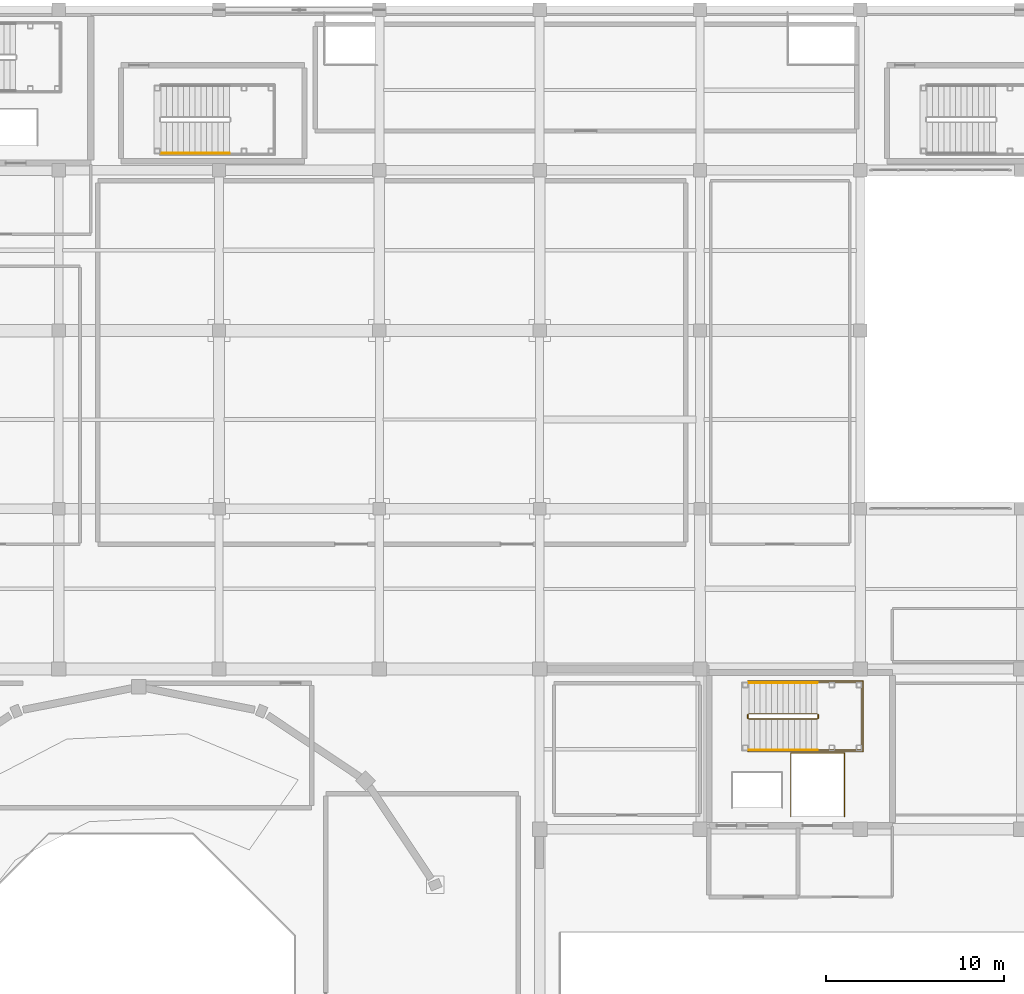
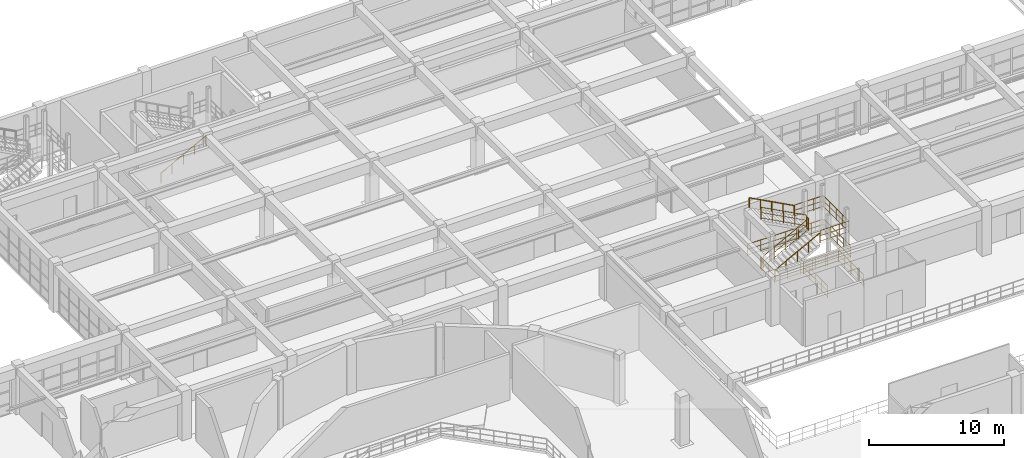
# One storey, part 130 of 133: 10 railings.
"""IFC4 building model written with IfcOpenShell, lengths in metres."""

from ifc_helpers import new_model, si_unit, direction, frame, origin, origin_2d, place, context, subcontext, project, spatial, circle, extrude, material, type_object, element, save


model = new_model("IFC4")

# Units and contexts
model_context = context("Model", 3, precision=1e-05, world=origin(), true_north=direction((0.0, 1.0)))
body_context = subcontext(model_context, "Body", "Model", "MODEL_VIEW")
ifc_project = project(units=[si_unit("LENGTHUNIT", "METRE"), si_unit("AREAUNIT", "SQUARE_METRE"), si_unit("VOLUMEUNIT", "CUBIC_METRE"), si_unit("PLANEANGLEUNIT", "RADIAN"), si_unit("MASSUNIT", "GRAM", prefix="KILO")], contexts=[model_context])

# Site, building, storey
site_placement = place(None, origin())
site = spatial("IfcSite", under=ifc_project, at=site_placement, CompositionType="ELEMENT")
building_placement = place(site_placement, origin())
building = spatial("IfcBuilding", under=site, at=building_placement, Name="Miravela Opera House", CompositionType="ELEMENT")
storey_placement = place(building_placement, frame((0.0, 0.0, 5.10009765625)))
storey = spatial("IfcBuildingStorey", under=building, at=storey_placement, Name="L01", CompositionType="ELEMENT", Elevation=5.10009765625)

# Railings
ifc_material_1 = material(Name="Brushed bronze continuous stair handrail")
railing_type_1 = type_object("IfcRailingType", Name="ARC-RAIL-HAND-900", PredefinedType="HANDRAIL", material=ifc_material_1)
railing_1_placement = place(storey_placement, frame((110.739990234375, 70.449951171875, 0.169921875)))
element("IfcRailing", 1, at=railing_1_placement, inside=storey, type_object=railing_type_1, Name="L01 ST-03 stair handrail 1", PredefinedType="HANDRAIL", context=body_context, shape_type="SweptSolid", body=[
    extrude(circle(Radius=0.02392578125, at=origin_2d()), frame((0.0, 0.0, 0.8759765625), z_axis=(0.883116446401, 0.0, 0.469153857596), x_axis=(0.0, 1.0, 0.0)), (0.0, 0.0, 1.0), 4.348388671875),
    extrude(circle(Radius=0.02099609375, at=origin_2d()), origin(), (0.0, 0.0, 1.0), 0.851806640625),
    extrude(circle(Radius=0.02099609375, at=origin_2d()), frame((0.9599609375, 0.0, 0.510009765625)), (0.0, 0.0, 1.0), 0.851806640625),
    extrude(circle(Radius=0.02099609375, at=origin_2d()), frame((1.919921875, 0.0, 1.02001953125)), (0.0, 0.0, 1.0), 0.851806640625),
    extrude(circle(Radius=0.02099609375, at=origin_2d()), frame((2.880126953125, 0.0, 1.530029296875)), (0.0, 0.0, 1.0), 0.851806640625),
    extrude(circle(Radius=0.02099609375, at=origin_2d()), frame((3.840087890625, 0.0, 2.0400390625)), (0.0, 0.0, 1.0), 0.851806640625),
])
railing_2_placement = place(storey_placement, frame((114.580078125, 74.22998046875, 2.3798828125)))
element("IfcRailing", 2, at=railing_2_placement, inside=storey, type_object=railing_type_1, Name="L01 ST-03 stair handrail 2", PredefinedType="HANDRAIL", context=body_context, shape_type="SweptSolid", body=[
    extrude(circle(Radius=0.02392578125, at=origin_2d()), frame((0.0, 0.0, 0.8759765625), z_axis=(-0.883116446401, 0.0, 0.469153857596), x_axis=(0.0, -1.0, 0.0)), (0.0, 0.0, 1.0), 4.348388671875),
    extrude(circle(Radius=0.02099609375, at=origin_2d()), origin(), (0.0, 0.0, 1.0), 0.851806640625),
    extrude(circle(Radius=0.02099609375, at=origin_2d()), frame((-0.9599609375, 0.0, 0.510009765625)), (0.0, 0.0, 1.0), 0.851806640625),
    extrude(circle(Radius=0.02099609375, at=origin_2d()), frame((-1.919921875, 0.0, 1.02001953125)), (0.0, 0.0, 1.0), 0.851806640625),
    extrude(circle(Radius=0.02099609375, at=origin_2d()), frame((-2.880126953125, 0.0, 1.530029296875)), (0.0, 0.0, 1.0), 0.851806640625),
    extrude(circle(Radius=0.02099609375, at=origin_2d()), frame((-3.840087890625, 0.0, 2.0400390625)), (0.0, 0.0, 1.0), 0.851806640625),
])
railing_3_placement = place(storey_placement, frame((77.739990234375, 103.949951171875, 0.169921875)))
element("IfcRailing", 3, at=railing_3_placement, inside=storey, type_object=railing_type_1, Name="L01 ST-07 stair handrail 1", PredefinedType="HANDRAIL", context=body_context, shape_type="SweptSolid", body=[
    extrude(circle(Radius=0.02392578125, at=origin_2d()), frame((0.0, 0.0, 0.8759765625), z_axis=(0.883116446401, 0.0, 0.469153857596), x_axis=(0.0, 1.0, 0.0)), (0.0, 0.0, 1.0), 4.348388671875),
    extrude(circle(Radius=0.02099609375, at=origin_2d()), origin(), (0.0, 0.0, 1.0), 0.851806640625),
    extrude(circle(Radius=0.02099609375, at=origin_2d()), frame((0.9599609375, 0.0, 0.510009765625)), (0.0, 0.0, 1.0), 0.851806640625),
    extrude(circle(Radius=0.02099609375, at=origin_2d()), frame((1.919921875, 0.0, 1.02001953125)), (0.0, 0.0, 1.0), 0.851806640625),
    extrude(circle(Radius=0.02099609375, at=origin_2d()), frame((2.880126953125, 0.0, 1.530029296875)), (0.0, 0.0, 1.0), 0.851806640625),
    extrude(circle(Radius=0.02099609375, at=origin_2d()), frame((3.840087890625, 0.0, 2.0400390625)), (0.0, 0.0, 1.0), 0.851806640625),
])
ifc_material_2 = material(Name="Painted wrought-iron stair guardrail")
railing_type_2 = type_object("IfcRailingType", Name="ARC-RAIL-STAIR-GUARD", PredefinedType="GUARDRAIL", material=ifc_material_2)
railing_4_placement = place(storey_placement, frame((110.739990234375, 72.18994140625, 0.169921875)))
element("IfcRailing", 4, at=railing_4_placement, inside=storey, type_object=railing_type_2, Name="L01 ST-03 stair guard 1", PredefinedType="GUARDRAIL", context=body_context, shape_type="SweptSolid", body=[
    extrude(circle(Radius=0.02392578125, at=origin_2d()), frame((0.0, 0.0, 1.076171875), z_axis=(0.883116446401, 0.0, 0.469153857596), x_axis=(0.0, 1.0, 0.0)), (0.0, 0.0, 1.0), 4.348388671875),
    extrude(circle(Radius=0.01611328125, at=origin_2d()), frame((0.0, 0.0, 0.60498046875), z_axis=(0.883116446401, 0.0, 0.469153857596), x_axis=(0.0, 1.0, 0.0)), (0.0, 0.0, 1.0), 4.348388671875),
    extrude(circle(Radius=0.01611328125, at=origin_2d()), frame((0.0, 0.0, 0.1201171875), z_axis=(0.883116446401, 0.0, 0.469153857596), x_axis=(0.0, 1.0, 0.0)), (0.0, 0.0, 1.0), 4.348388671875),
    extrude(circle(Radius=0.02099609375, at=origin_2d()), origin(), (0.0, 0.0, 1.0), 1.052001953125),
    extrude(circle(Radius=0.02099609375, at=origin_2d()), frame((0.9599609375, 0.0, 0.510009765625)), (0.0, 0.0, 1.0), 1.052001953125),
    extrude(circle(Radius=0.02099609375, at=origin_2d()), frame((1.919921875, 0.0, 1.02001953125)), (0.0, 0.0, 1.0), 1.052001953125),
    extrude(circle(Radius=0.02099609375, at=origin_2d()), frame((2.880126953125, 0.0, 1.530029296875)), (0.0, 0.0, 1.0), 1.052001953125),
    extrude(circle(Radius=0.02099609375, at=origin_2d()), frame((3.840087890625, 0.0, 2.0400390625)), (0.0, 0.0, 1.0), 1.052001953125),
])
railing_5_placement = place(storey_placement, frame((114.6298828125, 72.239990234375, 2.2099609375)))
element("IfcRailing", 5, at=railing_5_placement, inside=storey, type_object=railing_type_2, Name="L01 ST-03 stair guard 2", PredefinedType="GUARDRAIL", context=body_context, shape_type="SweptSolid", body=[
    extrude(circle(Radius=0.02392578125, at=origin_2d()), frame((0.0, 0.0, 1.076171875), z_axis=(0.0, 1.0, 0.0), x_axis=(-1.0, 0.0, 0.0)), (0.0, 0.0, 1.0), 0.199951171875),
    extrude(circle(Radius=0.01611328125, at=origin_2d()), frame((0.0, 0.0, 0.60498046875), z_axis=(0.0, 1.0, 0.0), x_axis=(-1.0, 0.0, 0.0)), (0.0, 0.0, 1.0), 0.199951171875),
    extrude(circle(Radius=0.01611328125, at=origin_2d()), frame((0.0, 0.0, 0.1201171875), z_axis=(0.0, 1.0, 0.0), x_axis=(-1.0, 0.0, 0.0)), (0.0, 0.0, 1.0), 0.199951171875),
    extrude(circle(Radius=0.02099609375, at=origin_2d()), origin(), (0.0, 0.0, 1.0), 1.052001953125),
    extrude(circle(Radius=0.02099609375, at=origin_2d()), frame((0.0, 0.199951171875, 0.0)), (0.0, 0.0, 1.0), 1.052001953125),
])
railing_6_placement = place(storey_placement, frame((114.580078125, 72.489990234375, 2.3798828125)))
element("IfcRailing", 6, at=railing_6_placement, inside=storey, type_object=railing_type_2, Name="L01 ST-03 stair guard 3", PredefinedType="GUARDRAIL", context=body_context, shape_type="SweptSolid", body=[
    extrude(circle(Radius=0.02392578125, at=origin_2d()), frame((0.0, 0.0, 1.076171875), z_axis=(-0.883116446401, 0.0, 0.469153857596), x_axis=(0.0, -1.0, 0.0)), (0.0, 0.0, 1.0), 4.348388671875),
    extrude(circle(Radius=0.01611328125, at=origin_2d()), frame((0.0, 0.0, 0.60498046875), z_axis=(-0.883116446401, 0.0, 0.469153857596), x_axis=(0.0, -1.0, 0.0)), (0.0, 0.0, 1.0), 4.348388671875),
    extrude(circle(Radius=0.01611328125, at=origin_2d()), frame((0.0, 0.0, 0.1201171875), z_axis=(-0.883116446401, 0.0, 0.469153857596), x_axis=(0.0, -1.0, 0.0)), (0.0, 0.0, 1.0), 4.348388671875),
    extrude(circle(Radius=0.02099609375, at=origin_2d()), origin(), (0.0, 0.0, 1.0), 1.052001953125),
    extrude(circle(Radius=0.02099609375, at=origin_2d()), frame((-0.9599609375, 0.0, 0.510009765625)), (0.0, 0.0, 1.0), 1.052001953125),
    extrude(circle(Radius=0.02099609375, at=origin_2d()), frame((-1.919921875, 0.0, 1.02001953125)), (0.0, 0.0, 1.0), 1.052001953125),
    extrude(circle(Radius=0.02099609375, at=origin_2d()), frame((-2.880126953125, 0.0, 1.530029296875)), (0.0, 0.0, 1.0), 1.052001953125),
    extrude(circle(Radius=0.02099609375, at=origin_2d()), frame((-3.840087890625, 0.0, 2.0400390625)), (0.0, 0.0, 1.0), 1.052001953125),
])
railing_7_placement = place(storey_placement, frame((110.68994140625, 72.239990234375, 0.0)))
element("IfcRailing", 7, at=railing_7_placement, inside=storey, type_object=railing_type_2, Name="L01 ST-03 stair guard 4", PredefinedType="GUARDRAIL", context=body_context, shape_type="SweptSolid", body=[
    extrude(circle(Radius=0.02392578125, at=origin_2d()), frame((0.0, 0.0, 1.076171875), z_axis=(0.0, 1.0, 0.0), x_axis=(-1.0, 0.0, 0.0)), (0.0, 0.0, 1.0), 0.199951171875),
    extrude(circle(Radius=0.01611328125, at=origin_2d()), frame((0.0, 0.0, 0.60498046875), z_axis=(0.0, 1.0, 0.0), x_axis=(-1.0, 0.0, 0.0)), (0.0, 0.0, 1.0), 0.199951171875),
    extrude(circle(Radius=0.01611328125, at=origin_2d()), frame((0.0, 0.0, 0.1201171875), z_axis=(0.0, 1.0, 0.0), x_axis=(-1.0, 0.0, 0.0)), (0.0, 0.0, 1.0), 0.199951171875),
    extrude(circle(Radius=0.02099609375, at=origin_2d()), origin(), (0.0, 0.0, 1.0), 1.052001953125),
    extrude(circle(Radius=0.02099609375, at=origin_2d()), frame((0.0, 0.199951171875, 0.0)), (0.0, 0.0, 1.0), 1.052001953125),
])
railing_8_placement = place(storey_placement, frame((114.6298828125, 70.449951171875, 2.2099609375)))
element("IfcRailing", 8, at=railing_8_placement, inside=storey, type_object=railing_type_2, Name="Stair ST-03 Half-Landing Perimeter Guard (L01) 0027", PredefinedType="GUARDRAIL", context=body_context, shape_type="SweptSolid", body=[
    extrude(circle(Radius=0.02392578125, at=origin_2d()), frame((0.0, 0.0, 1.076171875), z_axis=(1.0, 0.0, 0.0), x_axis=(0.0, 1.0, 0.0)), (0.0, 0.0, 1.0), 2.420166015625),
    extrude(circle(Radius=0.01611328125, at=origin_2d()), frame((0.0, 0.0, 0.60498046875), z_axis=(1.0, 0.0, 0.0), x_axis=(0.0, 1.0, 0.0)), (0.0, 0.0, 1.0), 2.420166015625),
    extrude(circle(Radius=0.01611328125, at=origin_2d()), frame((0.0, 0.0, 0.1201171875), z_axis=(1.0, 0.0, 0.0), x_axis=(0.0, 1.0, 0.0)), (0.0, 0.0, 1.0), 2.420166015625),
    extrude(circle(Radius=0.02392578125, at=origin_2d()), frame((2.420166015625, 0.0, 1.076171875), z_axis=(0.0, 1.0, 0.0), x_axis=(-1.0, 0.0, 0.0)), (0.0, 0.0, 1.0), 3.780029296875),
    extrude(circle(Radius=0.01611328125, at=origin_2d()), frame((2.420166015625, 0.0, 0.60498046875), z_axis=(0.0, 1.0, 0.0), x_axis=(-1.0, 0.0, 0.0)), (0.0, 0.0, 1.0), 3.780029296875),
    extrude(circle(Radius=0.01611328125, at=origin_2d()), frame((2.420166015625, 0.0, 0.1201171875), z_axis=(0.0, 1.0, 0.0), x_axis=(-1.0, 0.0, 0.0)), (0.0, 0.0, 1.0), 3.780029296875),
    extrude(circle(Radius=0.02392578125, at=origin_2d()), frame((2.420166015625, 3.780029296875, 1.076171875), z_axis=(-1.0, 0.0, 0.0), x_axis=(0.0, -1.0, 0.0)), (0.0, 0.0, 1.0), 2.420166015625),
    extrude(circle(Radius=0.01611328125, at=origin_2d()), frame((2.420166015625, 3.780029296875, 0.60498046875), z_axis=(-1.0, 0.0, 0.0), x_axis=(0.0, -1.0, 0.0)), (0.0, 0.0, 1.0), 2.420166015625),
    extrude(circle(Radius=0.01611328125, at=origin_2d()), frame((2.420166015625, 3.780029296875, 0.1201171875), z_axis=(-1.0, 0.0, 0.0), x_axis=(0.0, -1.0, 0.0)), (0.0, 0.0, 1.0), 2.420166015625),
    extrude(circle(Radius=0.02099609375, at=origin_2d()), origin(), (0.0, 0.0, 1.0), 1.052001953125),
    extrude(circle(Radius=0.02099609375, at=origin_2d()), frame((0.806640625, 0.0, 0.0)), (0.0, 0.0, 1.0), 1.052001953125),
    extrude(circle(Radius=0.02099609375, at=origin_2d()), frame((1.613525390625, 0.0, 0.0)), (0.0, 0.0, 1.0), 1.052001953125),
    extrude(circle(Radius=0.02099609375, at=origin_2d()), frame((2.420166015625, 0.0, 0.0)), (0.0, 0.0, 1.0), 1.052001953125),
    extrude(circle(Radius=0.02099609375, at=origin_2d()), frame((2.420166015625, 0.945068359375, 0.0)), (0.0, 0.0, 1.0), 1.052001953125),
    extrude(circle(Radius=0.02099609375, at=origin_2d()), frame((2.420166015625, 1.89013671875, 0.0)), (0.0, 0.0, 1.0), 1.052001953125),
    extrude(circle(Radius=0.02099609375, at=origin_2d()), frame((2.420166015625, 2.8349609375, 0.0)), (0.0, 0.0, 1.0), 1.052001953125),
    extrude(circle(Radius=0.02099609375, at=origin_2d()), frame((2.420166015625, 3.780029296875, 0.0)), (0.0, 0.0, 1.0), 1.052001953125),
    extrude(circle(Radius=0.02099609375, at=origin_2d()), frame((1.613525390625, 3.780029296875, 0.0)), (0.0, 0.0, 1.0), 1.052001953125),
    extrude(circle(Radius=0.02099609375, at=origin_2d()), frame((0.806640625, 3.780029296875, 0.0)), (0.0, 0.0, 1.0), 1.052001953125),
    extrude(circle(Radius=0.02099609375, at=origin_2d()), frame((0.0, 3.780029296875, 0.0)), (0.0, 0.0, 1.0), 1.052001953125),
])
railing_9_placement = place(storey_placement, frame((110.68994140625, 72.27001953125, 0.0)))
element("IfcRailing", 9, at=railing_9_placement, inside=storey, type_object=railing_type_2, Name="Stair ST-03 Well Slab Opening Guard (L01) 0032", PredefinedType="GUARDRAIL", context=body_context, shape_type="SweptSolid", body=[
    extrude(circle(Radius=0.02392578125, at=origin_2d()), frame((0.0, 0.0, 1.076171875), z_axis=(0.0, -1.0, 0.0), x_axis=(1.0, 0.0, 0.0)), (0.0, 0.0, 1.0), 1.919921875),
    extrude(circle(Radius=0.01611328125, at=origin_2d()), frame((0.0, 0.0, 0.60498046875), z_axis=(0.0, -1.0, 0.0), x_axis=(1.0, 0.0, 0.0)), (0.0, 0.0, 1.0), 1.919921875),
    extrude(circle(Radius=0.01611328125, at=origin_2d()), frame((0.0, 0.0, 0.1201171875), z_axis=(0.0, -1.0, 0.0), x_axis=(1.0, 0.0, 0.0)), (0.0, 0.0, 1.0), 1.919921875),
    extrude(circle(Radius=0.02392578125, at=origin_2d()), frame((0.0, -1.919921875, 1.076171875), z_axis=(1.0, 0.0, 0.0), x_axis=(0.0, 1.0, 0.0)), (0.0, 0.0, 1.0), 6.4599609375),
    extrude(circle(Radius=0.01611328125, at=origin_2d()), frame((0.0, -1.919921875, 0.60498046875), z_axis=(1.0, 0.0, 0.0), x_axis=(0.0, 1.0, 0.0)), (0.0, 0.0, 1.0), 6.4599609375),
    extrude(circle(Radius=0.01611328125, at=origin_2d()), frame((0.0, -1.919921875, 0.1201171875), z_axis=(1.0, 0.0, 0.0), x_axis=(0.0, 1.0, 0.0)), (0.0, 0.0, 1.0), 6.4599609375),
    extrude(circle(Radius=0.02392578125, at=origin_2d()), frame((6.4599609375, -1.919921875, 1.076171875), z_axis=(0.0, 1.0, 0.0), x_axis=(-1.0, 0.0, 0.0)), (0.0, 0.0, 1.0), 3.97998046875),
    extrude(circle(Radius=0.01611328125, at=origin_2d()), frame((6.4599609375, -1.919921875, 0.60498046875), z_axis=(0.0, 1.0, 0.0), x_axis=(-1.0, 0.0, 0.0)), (0.0, 0.0, 1.0), 3.97998046875),
    extrude(circle(Radius=0.01611328125, at=origin_2d()), frame((6.4599609375, -1.919921875, 0.1201171875), z_axis=(0.0, 1.0, 0.0), x_axis=(-1.0, 0.0, 0.0)), (0.0, 0.0, 1.0), 3.97998046875),
    extrude(circle(Radius=0.02392578125, at=origin_2d()), frame((6.4599609375, 2.06005859375, 1.076171875), z_axis=(-1.0, 0.0, 0.0), x_axis=(0.0, -1.0, 0.0)), (0.0, 0.0, 1.0), 6.4599609375),
    extrude(circle(Radius=0.01611328125, at=origin_2d()), frame((6.4599609375, 2.06005859375, 0.60498046875), z_axis=(-1.0, 0.0, 0.0), x_axis=(0.0, -1.0, 0.0)), (0.0, 0.0, 1.0), 6.4599609375),
    extrude(circle(Radius=0.01611328125, at=origin_2d()), frame((6.4599609375, 2.06005859375, 0.1201171875), z_axis=(-1.0, 0.0, 0.0), x_axis=(0.0, -1.0, 0.0)), (0.0, 0.0, 1.0), 6.4599609375),
    extrude(circle(Radius=0.02099609375, at=origin_2d()), origin(), (0.0, 0.0, 1.0), 1.052001953125),
    extrude(circle(Radius=0.02099609375, at=origin_2d()), frame((0.0, -0.9599609375, 0.0)), (0.0, 0.0, 1.0), 1.052001953125),
    extrude(circle(Radius=0.02099609375, at=origin_2d()), frame((0.0, -1.919921875, 0.0)), (0.0, 0.0, 1.0), 1.052001953125),
    extrude(circle(Radius=0.02099609375, at=origin_2d()), frame((1.07666015625, -1.919921875, 0.0)), (0.0, 0.0, 1.0), 1.052001953125),
    extrude(circle(Radius=0.02099609375, at=origin_2d()), frame((2.1533203125, -1.919921875, 0.0)), (0.0, 0.0, 1.0), 1.052001953125),
    extrude(circle(Radius=0.02099609375, at=origin_2d()), frame((3.22998046875, -1.919921875, 0.0)), (0.0, 0.0, 1.0), 1.052001953125),
    extrude(circle(Radius=0.02099609375, at=origin_2d()), frame((4.306640625, -1.919921875, 0.0)), (0.0, 0.0, 1.0), 1.052001953125),
    extrude(circle(Radius=0.02099609375, at=origin_2d()), frame((5.38330078125, -1.919921875, 0.0)), (0.0, 0.0, 1.0), 1.052001953125),
    extrude(circle(Radius=0.02099609375, at=origin_2d()), frame((6.4599609375, -1.919921875, 0.0)), (0.0, 0.0, 1.0), 1.052001953125),
    extrude(circle(Radius=0.02099609375, at=origin_2d()), frame((6.4599609375, -0.9248046875, 0.0)), (0.0, 0.0, 1.0), 1.052001953125),
    extrude(circle(Radius=0.02099609375, at=origin_2d()), frame((6.4599609375, 0.070068359375, 0.0)), (0.0, 0.0, 1.0), 1.052001953125),
    extrude(circle(Radius=0.02099609375, at=origin_2d()), frame((6.4599609375, 1.06494140625, 0.0)), (0.0, 0.0, 1.0), 1.052001953125),
    extrude(circle(Radius=0.02099609375, at=origin_2d()), frame((6.4599609375, 2.06005859375, 0.0)), (0.0, 0.0, 1.0), 1.052001953125),
    extrude(circle(Radius=0.02099609375, at=origin_2d()), frame((5.38330078125, 2.06005859375, 0.0)), (0.0, 0.0, 1.0), 1.052001953125),
    extrude(circle(Radius=0.02099609375, at=origin_2d()), frame((4.306640625, 2.06005859375, 0.0)), (0.0, 0.0, 1.0), 1.052001953125),
    extrude(circle(Radius=0.02099609375, at=origin_2d()), frame((3.22998046875, 2.06005859375, 0.0)), (0.0, 0.0, 1.0), 1.052001953125),
    extrude(circle(Radius=0.02099609375, at=origin_2d()), frame((2.1533203125, 2.06005859375, 0.0)), (0.0, 0.0, 1.0), 1.052001953125),
    extrude(circle(Radius=0.02099609375, at=origin_2d()), frame((1.07666015625, 2.06005859375, 0.0)), (0.0, 0.0, 1.0), 1.052001953125),
    extrude(circle(Radius=0.02099609375, at=origin_2d()), frame((0.0, 2.06005859375, 0.0)), (0.0, 0.0, 1.0), 1.052001953125),
])
railing_10_placement = place(storey_placement, frame((113.090087890625, 66.7099609375, 0.0)))
element("IfcRailing", 10, at=railing_10_placement, inside=storey, type_object=railing_type_2, Name="Lift FL-01 Hoistway Slab Opening Guard (L01) 0124", PredefinedType="GUARDRAIL", context=body_context, shape_type="SweptSolid", body=[
    extrude(circle(Radius=0.02392578125, at=origin_2d()), frame((0.0, 0.0, 1.076171875), z_axis=(0.0, 1.0, 0.0), x_axis=(-1.0, 0.0, 0.0)), (0.0, 0.0, 1.0), 3.580078125),
    extrude(circle(Radius=0.01611328125, at=origin_2d()), frame((0.0, 0.0, 0.60498046875), z_axis=(0.0, 1.0, 0.0), x_axis=(-1.0, 0.0, 0.0)), (0.0, 0.0, 1.0), 3.580078125),
    extrude(circle(Radius=0.01611328125, at=origin_2d()), frame((0.0, 0.0, 0.1201171875), z_axis=(0.0, 1.0, 0.0), x_axis=(-1.0, 0.0, 0.0)), (0.0, 0.0, 1.0), 3.580078125),
    extrude(circle(Radius=0.02392578125, at=origin_2d()), frame((0.0, 3.580078125, 1.076171875), z_axis=(1.0, 0.0, 0.0), x_axis=(0.0, 1.0, 0.0)), (0.0, 0.0, 1.0), 3.02001953125),
    extrude(circle(Radius=0.01611328125, at=origin_2d()), frame((0.0, 3.580078125, 0.60498046875), z_axis=(1.0, 0.0, 0.0), x_axis=(0.0, 1.0, 0.0)), (0.0, 0.0, 1.0), 3.02001953125),
    extrude(circle(Radius=0.01611328125, at=origin_2d()), frame((0.0, 3.580078125, 0.1201171875), z_axis=(1.0, 0.0, 0.0), x_axis=(0.0, 1.0, 0.0)), (0.0, 0.0, 1.0), 3.02001953125),
    extrude(circle(Radius=0.02392578125, at=origin_2d()), frame((3.02001953125, 3.580078125, 1.076171875), z_axis=(0.0, -1.0, 0.0), x_axis=(1.0, 0.0, 0.0)), (0.0, 0.0, 1.0), 3.580078125),
    extrude(circle(Radius=0.01611328125, at=origin_2d()), frame((3.02001953125, 3.580078125, 0.60498046875), z_axis=(0.0, -1.0, 0.0), x_axis=(1.0, 0.0, 0.0)), (0.0, 0.0, 1.0), 3.580078125),
    extrude(circle(Radius=0.01611328125, at=origin_2d()), frame((3.02001953125, 3.580078125, 0.1201171875), z_axis=(0.0, -1.0, 0.0), x_axis=(1.0, 0.0, 0.0)), (0.0, 0.0, 1.0), 3.580078125),
    extrude(circle(Radius=0.02099609375, at=origin_2d()), origin(), (0.0, 0.0, 1.0), 1.052001953125),
    extrude(circle(Radius=0.02099609375, at=origin_2d()), frame((0.0, 0.89501953125, 0.0)), (0.0, 0.0, 1.0), 1.052001953125),
    extrude(circle(Radius=0.02099609375, at=origin_2d()), frame((0.0, 1.7900390625, 0.0)), (0.0, 0.0, 1.0), 1.052001953125),
    extrude(circle(Radius=0.02099609375, at=origin_2d()), frame((0.0, 2.68505859375, 0.0)), (0.0, 0.0, 1.0), 1.052001953125),
    extrude(circle(Radius=0.02099609375, at=origin_2d()), frame((0.0, 3.580078125, 0.0)), (0.0, 0.0, 1.0), 1.052001953125),
    extrude(circle(Radius=0.02099609375, at=origin_2d()), frame((1.006591796875, 3.580078125, 0.0)), (0.0, 0.0, 1.0), 1.052001953125),
    extrude(circle(Radius=0.02099609375, at=origin_2d()), frame((2.013427734375, 3.580078125, 0.0)), (0.0, 0.0, 1.0), 1.052001953125),
    extrude(circle(Radius=0.02099609375, at=origin_2d()), frame((3.02001953125, 3.580078125, 0.0)), (0.0, 0.0, 1.0), 1.052001953125),
    extrude(circle(Radius=0.02099609375, at=origin_2d()), frame((3.02001953125, 2.68505859375, 0.0)), (0.0, 0.0, 1.0), 1.052001953125),
    extrude(circle(Radius=0.02099609375, at=origin_2d()), frame((3.02001953125, 1.7900390625, 0.0)), (0.0, 0.0, 1.0), 1.052001953125),
    extrude(circle(Radius=0.02099609375, at=origin_2d()), frame((3.02001953125, 0.89501953125, 0.0)), (0.0, 0.0, 1.0), 1.052001953125),
    extrude(circle(Radius=0.02099609375, at=origin_2d()), frame((3.02001953125, 0.0, 0.0)), (0.0, 0.0, 1.0), 1.052001953125),
])

save(model, "model.ifc")
